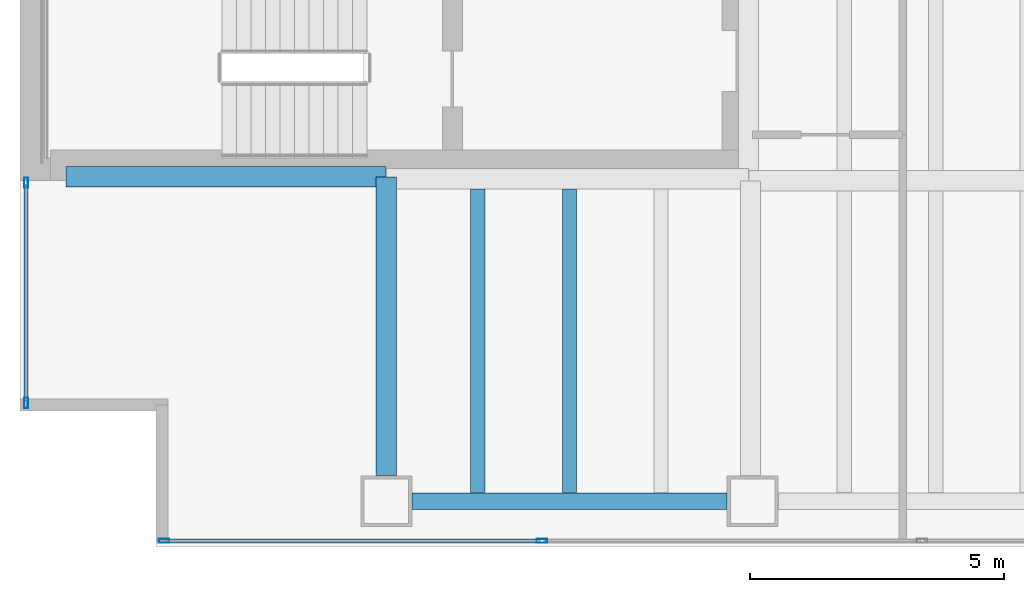
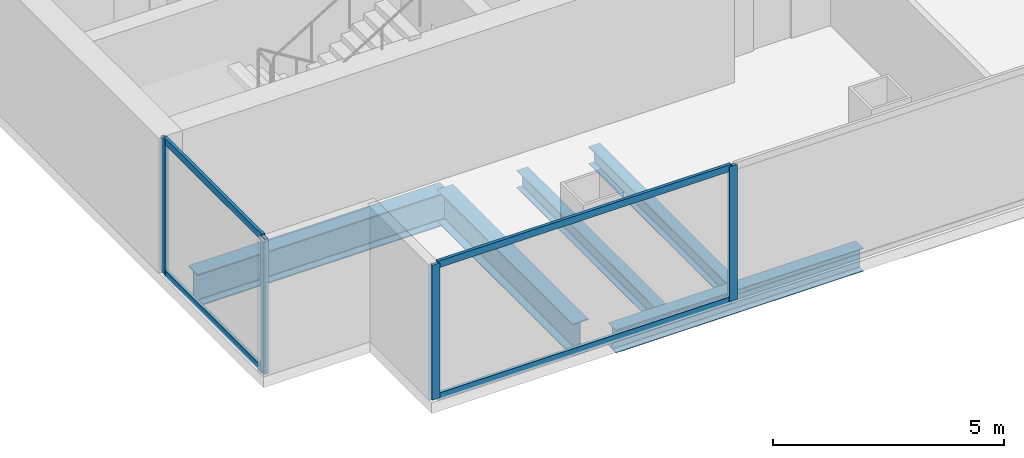
# One storey, part 2 of 23: 8 members, 5 beams, 2 elements without a shape of their own.
"""IFC4 building model written with IfcOpenShell, lengths in metres."""

import ifcopenshell
import ifcopenshell.guid

model = None  # the IFC model being written
_history = None  # IfcOwnerHistory: only IFC2X3 demands one
_inside = {}  # id of a spatial element -> (the spatial element, [elements in it])
_under = {}  # id of a project, library or spatial element -> (it, [spatial elements below it])
_declared = {}  # id of a project -> (the project, [libraries it declares])
_typed = {}  # id of a type object -> (the type object, [elements of that type])
_made_of = {}  # id of a material, layer set ... -> (it, [elements and type objects made of it])


def new_model(schema):
    """Start an empty IFC model of exactly this schema.

    Asked for "IFC4X3", IfcOpenShell would pick the latest addendum, in which some entities
    have other attributes; the version numbers below select the first issue.
    IFC2X3 requires an IfcOwnerHistory on every rooted entity: one is made here for all.
    """
    global model, _history
    if schema == "IFC4X3":
        model = ifcopenshell.file(schema_version=(4, 3, 0, 0))
    else:
        model = ifcopenshell.file(schema=schema)
    _inside.clear()
    _under.clear()
    _declared.clear()
    _typed.clear()
    _made_of.clear()
    _history = None
    if model.schema == "IFC2X3":
        org = make("IfcOrganization", Name="unknown")
        user = make(
            "IfcPersonAndOrganization",
            ThePerson=make("IfcPerson", FamilyName="unknown"),
            TheOrganization=org,
        )
        app = make(
            "IfcApplication",
            ApplicationDeveloper=org,
            Version="unknown",
            ApplicationFullName="unknown",
            ApplicationIdentifier="unknown",
        )
        _history = make(
            "IfcOwnerHistory",
            OwningUser=user,
            OwningApplication=app,
            ChangeAction="ADDED",
            CreationDate=0,
        )
    return model


def make(cls, **values):
    """One entity of the class cls with the attributes given. An attribute that is None is left unset."""
    return model.create_entity(
        cls, **{name: value for name, value in values.items() if value is not None}
    )


def rooted(cls, **values):
    """An entity with a GlobalId (a new one), such as an element, a storey or a relation."""
    return make(cls, GlobalId=ifcopenshell.guid.new(), OwnerHistory=_history, **values)


def si_unit(unit_type, name, prefix=None):
    """IfcSIUnit, for example si_unit("LENGTHUNIT", "METRE", prefix="MILLI")."""
    return make("IfcSIUnit", UnitType=unit_type, Prefix=prefix, Name=name)


def assignment(units):
    """IfcUnitAssignment: the units of a project."""
    return None if units is None else make("IfcUnitAssignment", Units=units)


def point(xyz):
    """IfcCartesianPoint."""
    return None if xyz is None else make("IfcCartesianPoint", Coordinates=xyz)


def direction(xyz):
    """IfcDirection."""
    return None if xyz is None else make("IfcDirection", DirectionRatios=xyz)


def frame(location, z_axis=None, x_axis=None):
    """IfcAxis2Placement3D, a coordinate frame: its origin and axes. An axis left out is left unset."""
    return make(
        "IfcAxis2Placement3D",
        Location=point(location),
        Axis=direction(z_axis),
        RefDirection=direction(x_axis),
    )


def frame_2d(location, x_axis=None):
    """IfcAxis2Placement2D, a coordinate frame in the plane: its origin and x axis."""
    return make(
        "IfcAxis2Placement2D", Location=point(location), RefDirection=direction(x_axis)
    )


def origin():
    """The frame at (0, 0, 0) with its axes left unset."""
    return frame((0.0, 0.0, 0.0))


def origin_2d():
    """The frame at (0, 0) in the plane with its x axis left unset."""
    return frame_2d((0.0, 0.0))


def place(relative_to, where):
    """IfcLocalPlacement: puts the frame where relative to a parent placement (None: the world)."""
    return make(
        "IfcLocalPlacement", PlacementRelTo=relative_to, RelativePlacement=where
    )


def context(
    kind, dimensions, precision=None, world=None, true_north=None, identifier=None
):
    """IfcGeometricRepresentationContext, for example the 3D "Model" context."""
    return make(
        "IfcGeometricRepresentationContext",
        ContextIdentifier=identifier,
        ContextType=kind,
        CoordinateSpaceDimension=dimensions,
        Precision=precision,
        WorldCoordinateSystem=world,
        TrueNorth=true_north,
    )


def subcontext(parent, identifier, kind, view, scale=None):
    """IfcGeometricRepresentationSubContext, for example "Body" below "Model"."""
    return make(
        "IfcGeometricRepresentationSubContext",
        ContextIdentifier=identifier,
        ContextType=kind,
        ParentContext=parent,
        TargetScale=scale,
        TargetView=view,
    )


def project(units=None, contexts=None):
    """IfcProject with its units and contexts."""
    return rooted(
        "IfcProject",
        Name="project",
        RepresentationContexts=contexts,
        UnitsInContext=assignment(units),
    )


def spatial(cls, under=None, at=None, **own):
    """A site, building, storey or space (cls), placed at a placement, below another one or the project."""
    s = rooted(cls, ObjectPlacement=at, **own)
    if under is not None:
        _under.setdefault(under.id(), (under, []))[1].append(s)
    return s


def profile(cls, at=None, kind="AREA", **sizes):
    """A parametric profile (cls). Its sizes go by their IFC names, for example OverallWidth=200.0."""
    return make(cls, ProfileType=kind, Position=at, **sizes)


def hollow_rectangle(**sizes):
    """IfcRectangleHollowProfileDef."""
    return profile("IfcRectangleHollowProfileDef", **sizes)


def i_section(**sizes):
    """IfcIShapeProfileDef."""
    return profile("IfcIShapeProfileDef", **sizes)


def extrude(swept, where, along, depth):
    """IfcExtrudedAreaSolid: the profile swept, set in the frame where, extruded along a direction by depth."""
    return make(
        "IfcExtrudedAreaSolid",
        SweptArea=swept,
        Position=where,
        ExtrudedDirection=direction(along),
        Depth=depth,
    )


def shape(context_of_items, identifier, shape_type, items):
    """IfcShapeRepresentation: the items that make up one representation, for example the "Body"."""
    return make(
        "IfcShapeRepresentation",
        ContextOfItems=context_of_items,
        RepresentationIdentifier=identifier,
        RepresentationType=shape_type,
        Items=items,
    )


def material(Name=None, Category=None):
    """IfcMaterial."""
    return make("IfcMaterial", Name=Name, Category=Category)


def material_profile(
    of_material, cross_section, Name=None, Category=None, Priority=None
):
    """IfcMaterialProfile: a cross section and its material."""
    return make(
        "IfcMaterialProfile",
        Name=Name,
        Material=of_material,
        Profile=cross_section,
        Priority=Priority,
        Category=Category,
    )


def profile_set(profiles, Name=None, composite=None):
    """IfcMaterialProfileSet."""
    return make(
        "IfcMaterialProfileSet",
        Name=Name,
        MaterialProfiles=profiles,
        CompositeProfile=composite,
    )


def made_of(thing, what):
    """Note that an element or type object is made of a material, layer set ...; save() writes the relation."""
    if what is not None:
        _made_of.setdefault(what.id(), (what, []))[1].append(thing)
    return thing


def type_object(cls, material=None, **own):
    """A type object (cls), such as IfcWallType, which elements share."""
    return made_of(rooted(cls, **own), material)


def element(
    cls,
    number,
    at=None,
    inside=None,
    cuts=None,
    type_object=None,
    material=None,
    context=None,
    identifier="Body",
    shape_type=None,
    held_by="IfcProductDefinitionShape",
    body=None,
    shapes=None,
    **own,
):
    """One element of the class cls, such as IfcWall. Its Tag is "e" and its number.

    at: its placement. inside: the storey or other place that contains it. cuts: it is an
    opening in that element (IfcRelVoidsElement). A single representation is given by context,
    identifier, shape_type and body (its items); several are given by shapes. held_by: the class
    of the entity that holds the representations. save() writes the other relations.
    """
    e = rooted(cls, Tag="e%d" % number, ObjectPlacement=at, **own)
    if body is not None:
        shapes = [shape(context, identifier, shape_type, body)]
    if shapes is not None:
        e.Representation = make(held_by, Representations=shapes)
    if inside is not None:
        _inside.setdefault(inside.id(), (inside, []))[1].append(e)
    if cuts is not None:
        rooted(
            "IfcRelVoidsElement", RelatingBuildingElement=cuts, RelatedOpeningElement=e
        )
    if type_object is not None:
        _typed.setdefault(type_object.id(), (type_object, []))[1].append(e)
    return made_of(e, material)


def aggregate(whole, parts):
    """IfcRelAggregates: a whole, such as a stair, and the parts it consists of."""
    return rooted("IfcRelAggregates", RelatingObject=whole, RelatedObjects=parts)


def save(model, path):
    """Write the relations noted so far, then the file.

    IfcRelAggregates (storeys below a building ...), IfcRelContainedInSpatialStructure (elements
    in a storey), IfcRelDefinesByType, IfcRelAssociatesMaterial and IfcRelDeclares: one each for
    every whole, place, type object, material and project.
    """
    for whole, parts in _under.values():
        aggregate(whole, parts)
    for where, things in _inside.values():
        rooted(
            "IfcRelContainedInSpatialStructure",
            RelatedElements=things,
            RelatingStructure=where,
        )
    for kind, things in _typed.values():
        rooted("IfcRelDefinesByType", RelatedObjects=things, RelatingType=kind)
    for what, things in _made_of.values():
        rooted("IfcRelAssociatesMaterial", RelatedObjects=things, RelatingMaterial=what)
    for by, libraries in _declared.values():
        rooted("IfcRelDeclares", RelatingContext=by, RelatedDefinitions=libraries)
    model.write(path)


model = new_model("IFC4")

# Units and contexts
model_context = context("Model", 3, precision=1e-05, world=origin(), true_north=direction((0.0, 1.0)))
body_context = subcontext(model_context, "Body", "Model", "MODEL_VIEW")
ifc_project = project(units=[si_unit("LENGTHUNIT", "METRE"), si_unit("AREAUNIT", "SQUARE_METRE"), si_unit("VOLUMEUNIT", "CUBIC_METRE"), si_unit("PLANEANGLEUNIT", "RADIAN"), si_unit("MASSUNIT", "GRAM", prefix="KILO")], contexts=[model_context])

# Site, building, storey
site_placement = place(None, origin())
site = spatial("IfcSite", under=ifc_project, at=site_placement, CompositionType="ELEMENT")
building_placement = place(site_placement, origin())
building = spatial("IfcBuilding", under=site, at=building_placement, Name="Cobrela Telecom Tower", CompositionType="ELEMENT")
storey_placement = place(building_placement, frame((0.0, 0.0, 54.25)))
storey = spatial("IfcBuildingStorey", under=building, at=storey_placement, Name="L13", CompositionType="ELEMENT", Elevation=54.25)

# Beams
ifc_material_1 = material(Name="Steel ASTM A992 Grade 50", Category="steel")
ifc_material_profile_1 = material_profile(ifc_material_1, i_section(OverallWidth=0.39892578125, OverallDepth=0.85595703125, WebThickness=0.018310546875, FlangeThickness=0.029296875, FilletRadius=0.02001953125, at=origin_2d()), Name="W33X201")
ifc_profile_set_1 = profile_set([ifc_material_profile_1], Name="Steel ASTM A992 Grade 50")
beam_type_1 = type_object("IfcBeamType", Name="BM-GIRD-03", PredefinedType="USERDEFINED", material=ifc_profile_set_1)
beam_1_placement = place(storey_placement, frame((0.905029296875, 7.280029296875, -0.7080078125), z_axis=(1.0, 0.0, 0.0), x_axis=(0.0, 1.0, 0.0)))
element("IfcBeam", 1, at=beam_1_placement, inside=storey, type_object=beam_type_1, Name="L13 Primary Girder X06", ObjectType="GIRDER", PredefinedType="USERDEFINED", context=body_context, shape_type="SweptSolid", body=[
    extrude(i_section(OverallWidth=0.39892578125, OverallDepth=0.85595703125, WebThickness=0.018310546875, FlangeThickness=0.029296875, FilletRadius=0.02001953125, at=origin_2d()), origin(), (0.0, 0.0, 1.0), 6.2900390625),
])
beam_2_placement = place(storey_placement, frame((7.199951171875, 1.405029296875, -0.7080078125), z_axis=(0.0, 1.0, 0.0), x_axis=(-1.0, 0.0, 0.0)))
element("IfcBeam", 2, at=beam_2_placement, inside=storey, type_object=beam_type_1, Name="L13 Primary Girder Y32", ObjectType="GIRDER", PredefinedType="USERDEFINED", context=body_context, shape_type="SweptSolid", body=[
    extrude(i_section(OverallWidth=0.39892578125, OverallDepth=0.85595703125, WebThickness=0.018310546875, FlangeThickness=0.029296875, FilletRadius=0.02001953125, at=origin_2d()), origin(), (0.0, 0.0, 1.0), 5.869873046875),
])
ifc_material_profile_2 = material_profile(ifc_material_1, i_section(OverallWidth=0.281982421875, OverallDepth=0.467041015625, WebThickness=0.01220703125, FlangeThickness=0.01953125, FilletRadius=0.012939453125, at=origin_2d()), Name="W18X86")
ifc_profile_set_2 = profile_set([ifc_material_profile_2], Name="Steel ASTM A992 Grade 50")
beam_type_2 = type_object("IfcBeamType", Name="BM-JOIST-02", PredefinedType="JOIST", material=ifc_profile_set_2)
for number, where, z_axis, x_axis, name in (
    (3, (9.0, 1.0673828125, -0.513427734375), (0.0, 1.0, 0.0), (-1.0, 0.0, 0.0), "L13 Secondary Composite Floor Beam J01"),
    (4, (10.800048828125, 1.0673828125, -0.513427734375), (0.0, 1.0, 0.0), (-1.0, 0.0, 0.0), "L13 Secondary Composite Floor Beam J03"),
):
    element("IfcBeam", number, at=place(storey_placement, frame(where, z_axis=z_axis, x_axis=x_axis)), inside=storey, type_object=beam_type_2, Name=name, PredefinedType="JOIST", context=body_context, shape_type="SweptSolid", body=[
        extrude(i_section(OverallWidth=0.281982421875, OverallDepth=0.467041015625, WebThickness=0.01220703125, FlangeThickness=0.01953125, FilletRadius=0.012939453125, at=origin_2d()), origin(), (0.0, 0.0, 1.0), 5.968017578125),
    ])
ifc_material_profile_3 = material_profile(ifc_material_1, i_section(OverallWidth=0.324951171875, OverallDepth=0.612060546875, WebThickness=0.0126953125, FlangeThickness=0.01904296875, FilletRadius=0.014892578125, at=origin_2d()), Name="W24X104")
ifc_profile_set_3 = profile_set([ifc_material_profile_3], Name="Steel ASTM A992 Grade 50")
beam_type_3 = type_object("IfcBeamType", Name="BM-SPAND-02", PredefinedType="SPANDREL", material=ifc_profile_set_3)
beam_3_placement = place(storey_placement, frame((7.705078125, 0.89990234375, -0.5859375), z_axis=(1.0, 0.0, 0.0), x_axis=(0.0, 1.0, 0.0)))
element("IfcBeam", 5, at=beam_3_placement, inside=storey, type_object=beam_type_3, Name="L13 Perimeter Spandrel X01", PredefinedType="SPANDREL", context=body_context, shape_type="SweptSolid", body=[
    extrude(i_section(OverallWidth=0.324951171875, OverallDepth=0.612060546875, WebThickness=0.0126953125, FlangeThickness=0.01904296875, FilletRadius=0.014892578125, at=origin_2d()), origin(), (0.0, 0.0, 1.0), 6.18994140625),
])

# Curtain wall, members
ifc_material_2 = material(Name="Anodized Bronze Aluminium 6063-T6", Category="aluminium")
curtain_wall_type = type_object("IfcCurtainWallType", Name="CW-SYS-DATA", PredefinedType="USERDEFINED", material=ifc_material_2)
curtain_wall_1_placement = place(storey_placement, origin())
curtain_wall_1 = element("IfcCurtainWall", 6, at=curtain_wall_1_placement, inside=storey, type_object=curtain_wall_type, Name="L13 Unitised Bronze Curtain Wall 03", ObjectType="UNITISED CURTAIN WALL", PredefinedType="USERDEFINED")
ifc_material_profile_4 = material_profile(ifc_material_2, hollow_rectangle(XDim=0.080078125, YDim=0.199951171875, WallThickness=0.00390625, at=origin_2d()), Name="ALU 80x200x4")
ifc_profile_set_4 = profile_set([ifc_material_profile_4], Name="Anodized Bronze Aluminium 6063-T6")
member_type_1 = type_object("IfcMemberType", Name="CW-SYS-DATA-MUL", PredefinedType="MULLION", material=ifc_profile_set_4)
member_1_placement = place(storey_placement, frame((0.1201171875, 2.830078125, 0.0), z_axis=(0.0, 0.0, 1.0), x_axis=(-1.0, 0.0, 0.0)))
member_1 = element("IfcMember", 7, at=member_1_placement, type_object=member_type_1, Name="CW-DATA mullion 1", PredefinedType="MULLION", context=body_context, shape_type="SweptSolid", body=[
    extrude(hollow_rectangle(XDim=0.080078125, YDim=0.199951171875, WallThickness=0.00390625, at=origin_2d()), origin(), (0.0, 0.0, 1.0), 3.570068359375),
])
member_2_placement = place(storey_placement, frame((0.1201171875, 7.159912109375, 0.0), z_axis=(0.0, 0.0, 1.0), x_axis=(-1.0, 0.0, 0.0)))
member_2 = element("IfcMember", 8, at=member_2_placement, type_object=member_type_1, Name="CW-DATA mullion 2", PredefinedType="MULLION", context=body_context, shape_type="SweptSolid", body=[
    extrude(hollow_rectangle(XDim=0.080078125, YDim=0.199951171875, WallThickness=0.00390625, at=origin_2d()), origin(), (0.0, 0.0, 1.0), 3.570068359375),
])

curtain_wall_2_placement = place(storey_placement, origin())
curtain_wall_2 = element("IfcCurtainWall", 9, at=curtain_wall_2_placement, inside=storey, type_object=curtain_wall_type, Name="L13 Unitised Bronze Curtain Wall 17", ObjectType="UNITISED CURTAIN WALL", PredefinedType="USERDEFINED")
member_3_placement = place(storey_placement, frame((10.260009765625, 0.1201171875, 0.0), z_axis=(0.0, 0.0, 1.0), x_axis=(0.0, -1.0, 0.0)))
member_3 = element("IfcMember", 10, at=member_3_placement, type_object=member_type_1, Name="CW-DATA mullion 6", PredefinedType="MULLION", context=body_context, shape_type="SweptSolid", body=[
    extrude(hollow_rectangle(XDim=0.080078125, YDim=0.199951171875, WallThickness=0.00390625, at=origin_2d()), origin(), (0.0, 0.0, 1.0), 3.570068359375),
])
member_4_placement = place(storey_placement, frame((2.830078125, 0.1201171875, 0.0), z_axis=(0.0, 0.0, 1.0), x_axis=(0.0, -1.0, 0.0)))
member_4 = element("IfcMember", 11, at=member_4_placement, type_object=member_type_1, Name="CW-DATA mullion 7", PredefinedType="MULLION", context=body_context, shape_type="SweptSolid", body=[
    extrude(hollow_rectangle(XDim=0.080078125, YDim=0.199951171875, WallThickness=0.00390625, at=origin_2d()), origin(), (0.0, 0.0, 1.0), 3.570068359375),
])

# Member
ifc_material_profile_5 = material_profile(ifc_material_2, hollow_rectangle(XDim=0.074951171875, YDim=0.179931640625, WallThickness=0.00390625, at=origin_2d()), Name="ALU 75x180x4")
ifc_profile_set_5 = profile_set([ifc_material_profile_5], Name="Anodized Bronze Aluminium 6063-T6")
member_type_2 = type_object("IfcMemberType", Name="CW-SYS-DATA-TRN", PredefinedType="USERDEFINED", material=ifc_profile_set_5)
member_5_placement = place(storey_placement, frame((0.1201171875, 2.8701171875, 0.03759765625), z_axis=(0.0, 1.0, 0.0), x_axis=(-1.0, 0.0, 0.0)))
member_5 = element("IfcMember", 12, at=member_5_placement, type_object=member_type_2, Name="CW-DATA transom 1.1", ObjectType="TRANSOM", PredefinedType="USERDEFINED", context=body_context, shape_type="SweptSolid", body=[
    extrude(hollow_rectangle(XDim=0.074951171875, YDim=0.179931640625, WallThickness=0.00390625, at=origin_2d()), origin(), (0.0, 0.0, 1.0), 4.25),
])

member_6_placement = place(storey_placement, frame((0.1201171875, 2.8701171875, 3.532470703125), z_axis=(0.0, 1.0, 0.0), x_axis=(-1.0, 0.0, 0.0)))
member_6 = element("IfcMember", 13, at=member_6_placement, type_object=member_type_2, Name="CW-DATA transom 1.2", ObjectType="TRANSOM", PredefinedType="USERDEFINED", context=body_context, shape_type="SweptSolid", body=[
    extrude(hollow_rectangle(XDim=0.074951171875, YDim=0.179931640625, WallThickness=0.00390625, at=origin_2d()), origin(), (0.0, 0.0, 1.0), 4.25),
])

aggregate(curtain_wall_1, [member_1, member_2, member_5, member_6])

member_7_placement = place(storey_placement, frame((10.219970703125, 0.1201171875, 0.03759765625), z_axis=(-1.0, 0.0, 0.0), x_axis=(0.0, -1.0, 0.0)))
member_7 = element("IfcMember", 14, at=member_7_placement, type_object=member_type_2, Name="CW-DATA transom 6.1", ObjectType="TRANSOM", PredefinedType="USERDEFINED", context=body_context, shape_type="SweptSolid", body=[
    extrude(hollow_rectangle(XDim=0.074951171875, YDim=0.179931640625, WallThickness=0.00390625, at=origin_2d()), origin(), (0.0, 0.0, 1.0), 7.349853515625),
])

member_8_placement = place(storey_placement, frame((10.219970703125, 0.1201171875, 3.532470703125), z_axis=(-1.0, 0.0, 0.0), x_axis=(0.0, -1.0, 0.0)))
member_8 = element("IfcMember", 15, at=member_8_placement, type_object=member_type_2, Name="CW-DATA transom 6.2", ObjectType="TRANSOM", PredefinedType="USERDEFINED", context=body_context, shape_type="SweptSolid", body=[
    extrude(hollow_rectangle(XDim=0.074951171875, YDim=0.179931640625, WallThickness=0.00390625, at=origin_2d()), origin(), (0.0, 0.0, 1.0), 7.349853515625),
])

aggregate(curtain_wall_2, [member_3, member_4, member_7, member_8])

save(model, "model.ifc")
